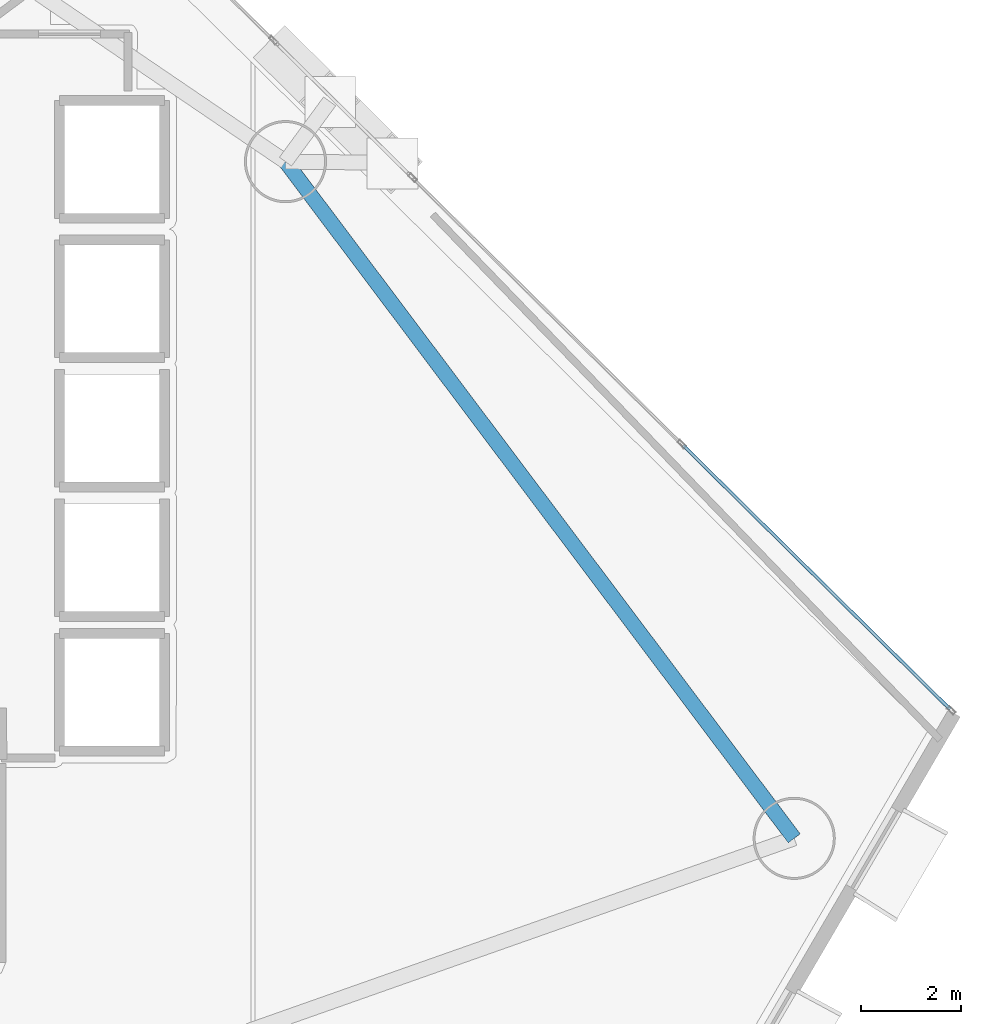
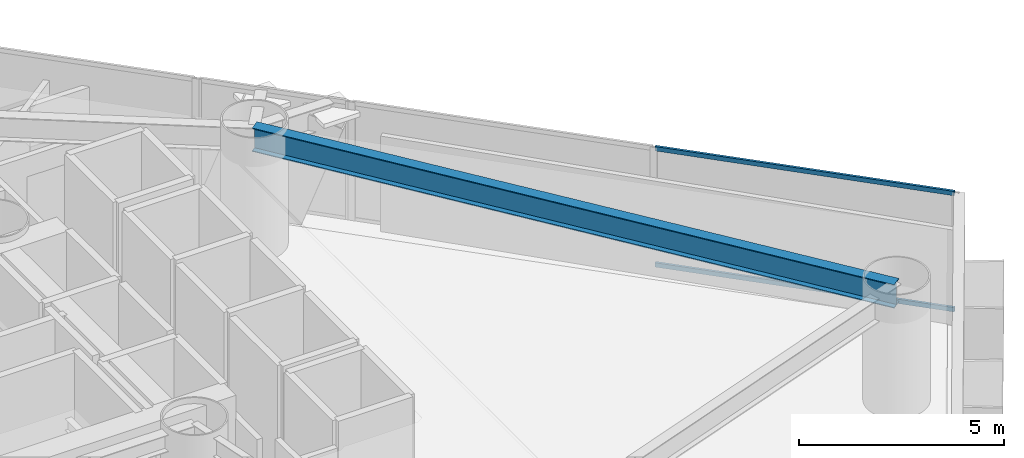
# One storey, part 14 of 24: 2 members, 1 beam, 1 element without a shape of its own.
"""IFC4 building model written with IfcOpenShell, lengths in metres."""

from ifc_helpers import new_model, si_unit, direction, frame, origin, origin_2d, place, context, subcontext, project, spatial, hollow_rectangle, i_section, extrude, material, layer, layer_set, material_profile, profile_set, type_object, element, aggregate, save


model = new_model("IFC4")

# Units and contexts
model_context = context("Model", 3, precision=1e-05, world=origin(), true_north=direction((0.0, 1.0)))
body_context = subcontext(model_context, "Body", "Model", "MODEL_VIEW")
ifc_project = project(units=[si_unit("LENGTHUNIT", "METRE"), si_unit("AREAUNIT", "SQUARE_METRE"), si_unit("VOLUMEUNIT", "CUBIC_METRE"), si_unit("PLANEANGLEUNIT", "RADIAN"), si_unit("MASSUNIT", "GRAM", prefix="KILO")], contexts=[model_context])

# Site, building, storey
site_placement = place(None, origin())
site = spatial("IfcSite", under=ifc_project, at=site_placement, CompositionType="ELEMENT")
building_placement = place(site_placement, origin())
building = spatial("IfcBuilding", under=site, at=building_placement, Name="Qianvela Tower", CompositionType="ELEMENT")
storey_placement = place(building_placement, frame((0.0, 0.0, 59.89990234375)))
storey = spatial("IfcBuildingStorey", under=building, at=storey_placement, Name="L14", CompositionType="ELEMENT", Elevation=59.89990234375)

# Beam
ifc_material_1 = material(Name="Steel Q355B", Category="steel")
ifc_material_profile_1 = material_profile(ifc_material_1, i_section(OverallWidth=0.300048828125, OverallDepth=0.699951171875, WebThickness=0.012939453125, FlangeThickness=0.02392578125, at=origin_2d()), Name="HN700x300x13x24")
ifc_profile_set_1 = profile_set([ifc_material_profile_1], Name="Steel Q355B")
beam_type = type_object("IfcBeamType", Name="BM-HN700-SPAND", PredefinedType="SPANDREL", material=ifc_profile_set_1)
beam_placement = place(storey_placement, frame((56.198974609375, 20.468017578125, 3.168212890625), z_axis=(-0.600881979864, 0.799337754816, 0.0), x_axis=(-0.799337754816, -0.600881979864, 0.0)))
element("IfcBeam", 1, at=beam_placement, inside=storey, type_object=beam_type, Name="L14 Perimeter Ring Spandrel Girder 1", PredefinedType="SPANDREL", context=body_context, shape_type="SweptSolid", body=[
    extrude(i_section(OverallWidth=0.300048828125, OverallDepth=0.699951171875, WebThickness=0.012939453125, FlangeThickness=0.02392578125, at=origin_2d()), origin(), (0.0, 0.0, 1.0), 17.000244140625),
])

# Curtain wall, members
ifc_material_2 = material(Name="Anodised Architectural Aluminium and Low-E Glass", Category="aluminium")
ifc_layer = layer(ifc_material_2, 0.179931640625)
ifc_layer_set = layer_set([ifc_layer], Name="Anodised Architectural Aluminium and Low-E Glass")
curtain_wall_type = type_object("IfcCurtainWallType", Name="CW-COLIV-Z12", PredefinedType="USERDEFINED", material=ifc_layer_set)
curtain_wall_placement = place(storey_placement, origin())
curtain_wall = element("IfcCurtainWall", 2, at=curtain_wall_placement, inside=storey, type_object=curtain_wall_type, Name="L14 CW-COLIV-Z12 Curtain Wall 02A", ObjectType="CURTAIN_WALL_SYSTEM", PredefinedType="USERDEFINED")
ifc_material_3 = material(Name="Anodised Architectural Aluminium 6063-T6", Category="aluminium")
ifc_material_profile_2 = material_profile(ifc_material_3, hollow_rectangle(XDim=0.06494140625, YDim=0.1298828125, WallThickness=0.00439453125, at=origin_2d()), Name="ALU-TRAN-65x130")
ifc_profile_set_2 = profile_set([ifc_material_profile_2], Name="Anodised Architectural Aluminium 6063-T6")
member_type = type_object("IfcMemberType", Name="CW-COLIV-Z12-TRAN", PredefinedType="USERDEFINED", material=ifc_profile_set_2)
member_1_placement = place(storey_placement, frame((59.327880859375, 23.061767578125, 0.03271484375), z_axis=(-0.711129154078, 0.703061395769, 0.0), x_axis=(-0.703061395769, -0.711129154078, 0.0)))
member_1 = element("IfcMember", 3, at=member_1_placement, type_object=member_type, Name="CW-3 transom 1.1", ObjectType="TRANSOM", PredefinedType="USERDEFINED", context=body_context, shape_type="SweptSolid", body=[
    extrude(hollow_rectangle(XDim=0.06494140625, YDim=0.1298828125, WallThickness=0.00439453125, at=origin_2d()), origin(), (0.0, 0.0, 1.0), 7.53515625),
])
member_2_placement = place(storey_placement, frame((59.327880859375, 23.061767578125, 3.487548828125), z_axis=(-0.711129154078, 0.703061395769, 0.0), x_axis=(-0.703061395769, -0.711129154078, 0.0)))
member_2 = element("IfcMember", 4, at=member_2_placement, type_object=member_type, Name="CW-3 transom 1.2", ObjectType="TRANSOM", PredefinedType="USERDEFINED", context=body_context, shape_type="SweptSolid", body=[
    extrude(hollow_rectangle(XDim=0.06494140625, YDim=0.1298828125, WallThickness=0.00439453125, at=origin_2d()), origin(), (0.0, 0.0, 1.0), 7.53515625),
])
aggregate(curtain_wall, [member_1, member_2])

save(model, "model.ifc")
